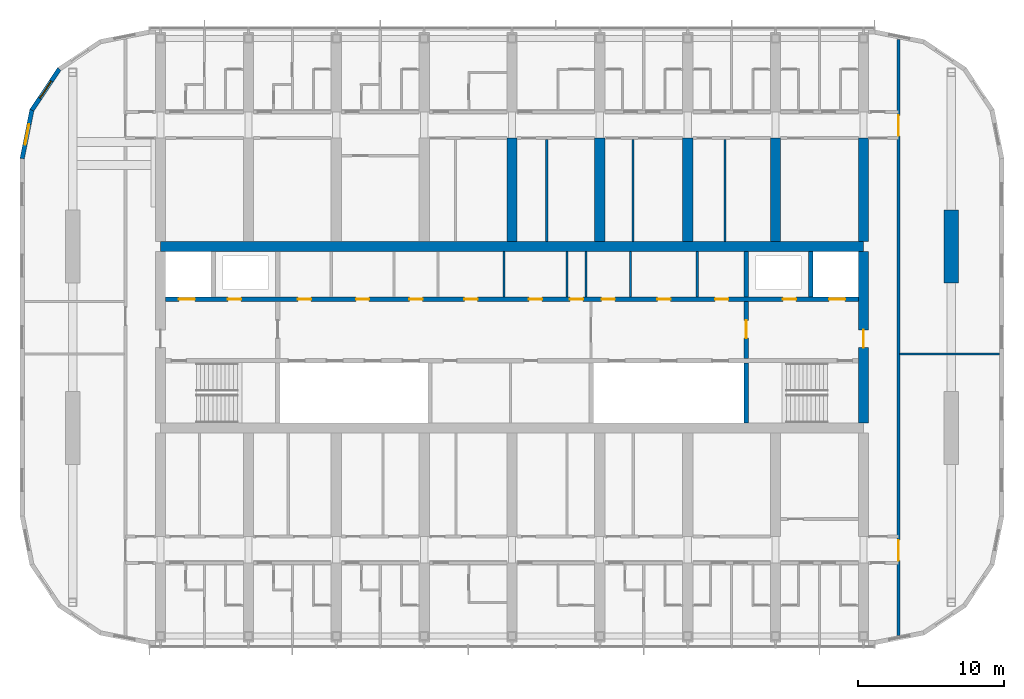
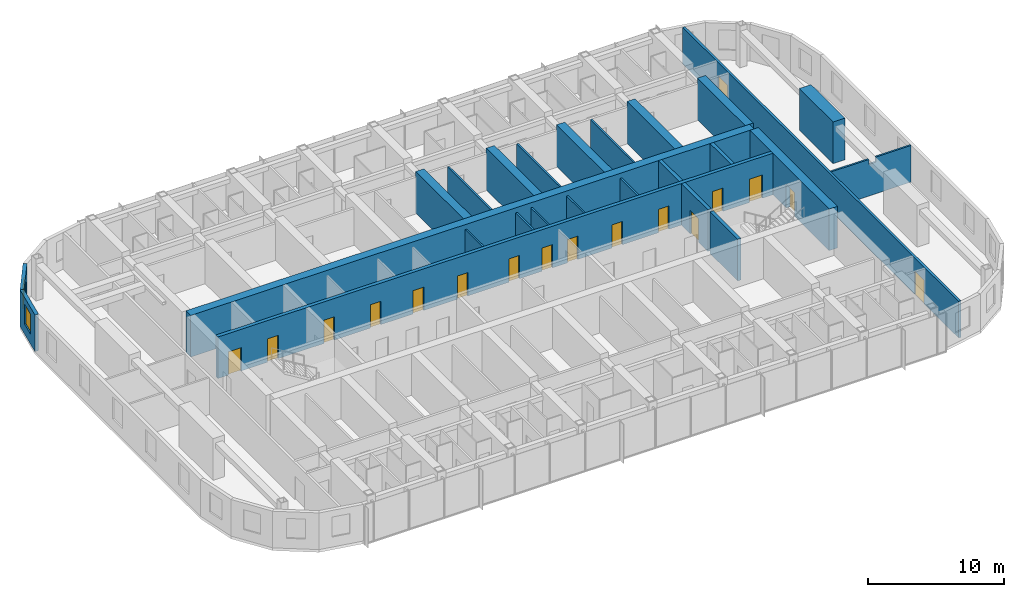
# One storey, part 15 of 24: 25 walls, 17 doors, 2 windows, 19 openings.
"""IFC4 building model written with IfcOpenShell, lengths in metres."""

import ifcopenshell
import ifcopenshell.guid

model = None  # the IFC model being written
_history = None  # IfcOwnerHistory: only IFC2X3 demands one
_inside = {}  # id of a spatial element -> (the spatial element, [elements in it])
_under = {}  # id of a project, library or spatial element -> (it, [spatial elements below it])
_declared = {}  # id of a project -> (the project, [libraries it declares])
_typed = {}  # id of a type object -> (the type object, [elements of that type])
_made_of = {}  # id of a material, layer set ... -> (it, [elements and type objects made of it])


def new_model(schema):
    """Start an empty IFC model of exactly this schema.

    Asked for "IFC4X3", IfcOpenShell would pick the latest addendum, in which some entities
    have other attributes; the version numbers below select the first issue.
    IFC2X3 requires an IfcOwnerHistory on every rooted entity: one is made here for all.
    """
    global model, _history
    if schema == "IFC4X3":
        model = ifcopenshell.file(schema_version=(4, 3, 0, 0))
    else:
        model = ifcopenshell.file(schema=schema)
    _inside.clear()
    _under.clear()
    _declared.clear()
    _typed.clear()
    _made_of.clear()
    _history = None
    if model.schema == "IFC2X3":
        org = make("IfcOrganization", Name="unknown")
        user = make(
            "IfcPersonAndOrganization",
            ThePerson=make("IfcPerson", FamilyName="unknown"),
            TheOrganization=org,
        )
        app = make(
            "IfcApplication",
            ApplicationDeveloper=org,
            Version="unknown",
            ApplicationFullName="unknown",
            ApplicationIdentifier="unknown",
        )
        _history = make(
            "IfcOwnerHistory",
            OwningUser=user,
            OwningApplication=app,
            ChangeAction="ADDED",
            CreationDate=0,
        )
    return model


def make(cls, **values):
    """One entity of the class cls with the attributes given. An attribute that is None is left unset."""
    return model.create_entity(
        cls, **{name: value for name, value in values.items() if value is not None}
    )


def rooted(cls, **values):
    """An entity with a GlobalId (a new one), such as an element, a storey or a relation."""
    return make(cls, GlobalId=ifcopenshell.guid.new(), OwnerHistory=_history, **values)


def si_unit(unit_type, name, prefix=None):
    """IfcSIUnit, for example si_unit("LENGTHUNIT", "METRE", prefix="MILLI")."""
    return make("IfcSIUnit", UnitType=unit_type, Prefix=prefix, Name=name)


def assignment(units):
    """IfcUnitAssignment: the units of a project."""
    return None if units is None else make("IfcUnitAssignment", Units=units)


def point(xyz):
    """IfcCartesianPoint."""
    return None if xyz is None else make("IfcCartesianPoint", Coordinates=xyz)


def direction(xyz):
    """IfcDirection."""
    return None if xyz is None else make("IfcDirection", DirectionRatios=xyz)


def frame(location, z_axis=None, x_axis=None):
    """IfcAxis2Placement3D, a coordinate frame: its origin and axes. An axis left out is left unset."""
    return make(
        "IfcAxis2Placement3D",
        Location=point(location),
        Axis=direction(z_axis),
        RefDirection=direction(x_axis),
    )


def frame_2d(location, x_axis=None):
    """IfcAxis2Placement2D, a coordinate frame in the plane: its origin and x axis."""
    return make(
        "IfcAxis2Placement2D", Location=point(location), RefDirection=direction(x_axis)
    )


def origin():
    """The frame at (0, 0, 0) with its axes left unset."""
    return frame((0.0, 0.0, 0.0))


def place(relative_to, where):
    """IfcLocalPlacement: puts the frame where relative to a parent placement (None: the world)."""
    return make(
        "IfcLocalPlacement", PlacementRelTo=relative_to, RelativePlacement=where
    )


def context(
    kind, dimensions, precision=None, world=None, true_north=None, identifier=None
):
    """IfcGeometricRepresentationContext, for example the 3D "Model" context."""
    return make(
        "IfcGeometricRepresentationContext",
        ContextIdentifier=identifier,
        ContextType=kind,
        CoordinateSpaceDimension=dimensions,
        Precision=precision,
        WorldCoordinateSystem=world,
        TrueNorth=true_north,
    )


def subcontext(parent, identifier, kind, view, scale=None):
    """IfcGeometricRepresentationSubContext, for example "Body" below "Model"."""
    return make(
        "IfcGeometricRepresentationSubContext",
        ContextIdentifier=identifier,
        ContextType=kind,
        ParentContext=parent,
        TargetScale=scale,
        TargetView=view,
    )


def project(units=None, contexts=None):
    """IfcProject with its units and contexts."""
    return rooted(
        "IfcProject",
        Name="project",
        RepresentationContexts=contexts,
        UnitsInContext=assignment(units),
    )


def spatial(cls, under=None, at=None, **own):
    """A site, building, storey or space (cls), placed at a placement, below another one or the project."""
    s = rooted(cls, ObjectPlacement=at, **own)
    if under is not None:
        _under.setdefault(under.id(), (under, []))[1].append(s)
    return s


def polyline(points):
    """IfcPolyline through the points."""
    return make("IfcPolyline", Points=[point(p) for p in points])


def profile(cls, at=None, kind="AREA", **sizes):
    """A parametric profile (cls). Its sizes go by their IFC names, for example OverallWidth=200.0."""
    return make(cls, ProfileType=kind, Position=at, **sizes)


def rectangle(**sizes):
    """IfcRectangleProfileDef."""
    return profile("IfcRectangleProfileDef", **sizes)


def outline(outer, holes=None, kind="AREA"):
    """IfcArbitraryClosedProfileDef: a profile drawn as a closed curve; with holes, ...WithVoids."""
    if holes is None:
        return make("IfcArbitraryClosedProfileDef", ProfileType=kind, OuterCurve=outer)
    return make(
        "IfcArbitraryProfileDefWithVoids",
        ProfileType=kind,
        OuterCurve=outer,
        InnerCurves=holes,
    )


def extrude(swept, where, along, depth):
    """IfcExtrudedAreaSolid: the profile swept, set in the frame where, extruded along a direction by depth."""
    return make(
        "IfcExtrudedAreaSolid",
        SweptArea=swept,
        Position=where,
        ExtrudedDirection=direction(along),
        Depth=depth,
    )


def shape(context_of_items, identifier, shape_type, items):
    """IfcShapeRepresentation: the items that make up one representation, for example the "Body"."""
    return make(
        "IfcShapeRepresentation",
        ContextOfItems=context_of_items,
        RepresentationIdentifier=identifier,
        RepresentationType=shape_type,
        Items=items,
    )


def material(Name=None, Category=None):
    """IfcMaterial."""
    return make("IfcMaterial", Name=Name, Category=Category)


def layer(
    of_material, thickness, ventilated=None, Name=None, Category=None, Priority=None
):
    """IfcMaterialLayer: one layer of a wall or slab, of a material (None: an air gap)."""
    return make(
        "IfcMaterialLayer",
        Material=of_material,
        LayerThickness=thickness,
        IsVentilated=ventilated,
        Name=Name,
        Category=Category,
        Priority=Priority,
    )


def layer_set(layers, Name=None):
    """IfcMaterialLayerSet."""
    return make("IfcMaterialLayerSet", MaterialLayers=layers, LayerSetName=Name)


def made_of(thing, what):
    """Note that an element or type object is made of a material, layer set ...; save() writes the relation."""
    if what is not None:
        _made_of.setdefault(what.id(), (what, []))[1].append(thing)
    return thing


def type_object(cls, material=None, **own):
    """A type object (cls), such as IfcWallType, which elements share."""
    return made_of(rooted(cls, **own), material)


def element(
    cls,
    number,
    at=None,
    inside=None,
    cuts=None,
    type_object=None,
    material=None,
    context=None,
    identifier="Body",
    shape_type=None,
    held_by="IfcProductDefinitionShape",
    body=None,
    shapes=None,
    **own,
):
    """One element of the class cls, such as IfcWall. Its Tag is "e" and its number.

    at: its placement. inside: the storey or other place that contains it. cuts: it is an
    opening in that element (IfcRelVoidsElement). A single representation is given by context,
    identifier, shape_type and body (its items); several are given by shapes. held_by: the class
    of the entity that holds the representations. save() writes the other relations.
    """
    e = rooted(cls, Tag="e%d" % number, ObjectPlacement=at, **own)
    if body is not None:
        shapes = [shape(context, identifier, shape_type, body)]
    if shapes is not None:
        e.Representation = make(held_by, Representations=shapes)
    if inside is not None:
        _inside.setdefault(inside.id(), (inside, []))[1].append(e)
    if cuts is not None:
        rooted(
            "IfcRelVoidsElement", RelatingBuildingElement=cuts, RelatedOpeningElement=e
        )
    if type_object is not None:
        _typed.setdefault(type_object.id(), (type_object, []))[1].append(e)
    return made_of(e, material)


def fill(opening, filler):
    """IfcRelFillsElement: the door or window that sits in an opening."""
    return rooted(
        "IfcRelFillsElement",
        RelatingOpeningElement=opening,
        RelatedBuildingElement=filler,
    )


def aggregate(whole, parts):
    """IfcRelAggregates: a whole, such as a stair, and the parts it consists of."""
    return rooted("IfcRelAggregates", RelatingObject=whole, RelatedObjects=parts)


def save(model, path):
    """Write the relations noted so far, then the file.

    IfcRelAggregates (storeys below a building ...), IfcRelContainedInSpatialStructure (elements
    in a storey), IfcRelDefinesByType, IfcRelAssociatesMaterial and IfcRelDeclares: one each for
    every whole, place, type object, material and project.
    """
    for whole, parts in _under.values():
        aggregate(whole, parts)
    for where, things in _inside.values():
        rooted(
            "IfcRelContainedInSpatialStructure",
            RelatedElements=things,
            RelatingStructure=where,
        )
    for kind, things in _typed.values():
        rooted("IfcRelDefinesByType", RelatedObjects=things, RelatingType=kind)
    for what, things in _made_of.values():
        rooted("IfcRelAssociatesMaterial", RelatedObjects=things, RelatingMaterial=what)
    for by, libraries in _declared.values():
        rooted("IfcRelDeclares", RelatingContext=by, RelatedDefinitions=libraries)
    model.write(path)


model = new_model("IFC4")

# Units and contexts
model_context = context("Model", 3, precision=1e-05, world=origin(), true_north=direction((0.0, 1.0)))
body_context = subcontext(model_context, "Body", "Model", "MODEL_VIEW")
ifc_project = project(units=[si_unit("LENGTHUNIT", "METRE"), si_unit("AREAUNIT", "SQUARE_METRE"), si_unit("VOLUMEUNIT", "CUBIC_METRE"), si_unit("PLANEANGLEUNIT", "RADIAN"), si_unit("MASSUNIT", "GRAM", prefix="KILO")], contexts=[model_context])

# Site, building, storey
site_placement = place(None, origin())
site = spatial("IfcSite", under=ifc_project, at=site_placement, CompositionType="ELEMENT")
building_placement = place(site_placement, origin())
building = spatial("IfcBuilding", under=site, at=building_placement, Name="Orbita Commons", CompositionType="ELEMENT")
storey_placement = place(building_placement, frame((0.0, 0.0, 242.800048828125)))
storey = spatial("IfcBuildingStorey", under=building, at=storey_placement, Name="L60", CompositionType="ELEMENT", Elevation=242.800048828125)

# Wall, openings, doors
ifc_material_1 = material(Name="Concrete C50/60", Category="concrete")
ifc_layer_1 = layer(ifc_material_1, 0.300048828125)
ifc_layer_set_1 = layer_set([ifc_layer_1], Name="Concrete C50/60")
wall_type_1 = type_object("IfcWallType", Name="Core inner wall 300 C50/60", PredefinedType="SHEAR", material=ifc_layer_set_1)
wall_1_placement = place(storey_placement, frame((18.35009765625, 34.60009765625, 0.0), z_axis=(0.0, 0.0, 1.0), x_axis=(1.0, 0.0, 0.0)))
wall_1 = element("IfcWall", 1, at=wall_1_placement, inside=storey, type_object=wall_type_1, Name="Lobby wall north L60", PredefinedType="SHEAR", context=body_context, shape_type="SweptSolid", body=[
    extrude(rectangle(XDim=47.2998046875, YDim=0.300048828125, at=frame_2d((23.64990234375, 0.0))), origin(), (0.0, 0.0, 1.0), 3.75),
])
opening_1_placement = place(wall_1_placement, frame((0.89990234375, 0.0, 0.0)))
opening_1 = element("IfcOpeningElement", 2, at=opening_1_placement, cuts=wall_1, Name="Opening LD01", PredefinedType="OPENING", context=body_context, shape_type="SweptSolid", body=[
    extrude(rectangle(XDim=1.10009765625, YDim=2.10009765625, at=frame_2d((0.550048828125, 1.050048828125))), frame((0.0, 0.159912109375, 0.0), z_axis=(0.0, -1.0, 0.0), x_axis=(1.0, 0.0, 0.0)), (0.0, 0.0, 1.0), 0.320068359375),
])
opening_2_placement = place(wall_1_placement, frame((45.300048828125, 0.0, 0.0)))
opening_2 = element("IfcOpeningElement", 3, at=opening_2_placement, cuts=wall_1, Name="Opening LD01", PredefinedType="OPENING", context=body_context, shape_type="SweptSolid", body=[
    extrude(rectangle(XDim=1.10009765625, YDim=2.10009765625, at=frame_2d((0.550048828125, 1.050048828125))), frame((0.0, 0.159912109375, 0.0), z_axis=(0.0, -1.0, 0.0), x_axis=(1.0, 0.0, 0.0)), (0.0, 0.0, 1.0), 0.320068359375),
])
opening_3_placement = place(wall_1_placement, frame((4.25, 0.0, 0.0)))
opening_3 = element("IfcOpeningElement", 4, at=opening_3_placement, cuts=wall_1, Name="Opening D03", PredefinedType="OPENING", context=body_context, shape_type="SweptSolid", body=[
    extrude(rectangle(XDim=0.89990234375, YDim=2.10009765625, at=frame_2d((0.449951171875, 1.050048828125))), frame((0.0, 0.159912109375, 0.0), z_axis=(0.0, -1.0, 0.0), x_axis=(1.0, 0.0, 0.0)), (0.0, 0.0, 1.0), 0.320068359375),
])
opening_4_placement = place(wall_1_placement, frame((42.14990234375, 0.0, 0.0)))
opening_4 = element("IfcOpeningElement", 5, at=opening_4_placement, cuts=wall_1, Name="Opening D03", PredefinedType="OPENING", context=body_context, shape_type="SweptSolid", body=[
    extrude(rectangle(XDim=0.89990234375, YDim=2.10009765625, at=frame_2d((0.449951171875, 1.050048828125))), frame((0.0, 0.159912109375, 0.0), z_axis=(0.0, -1.0, 0.0), x_axis=(1.0, 0.0, 0.0)), (0.0, 0.0, 1.0), 0.320068359375),
])
opening_5_placement = place(wall_1_placement, frame((9.025390625, 0.0, 0.0)))
opening_5 = element("IfcOpeningElement", 6, at=opening_5_placement, cuts=wall_1, Name="Opening D03", PredefinedType="OPENING", context=body_context, shape_type="SweptSolid", body=[
    extrude(rectangle(XDim=0.89990234375, YDim=2.10009765625, at=frame_2d((0.449951171875, 1.050048828125))), frame((0.0, 0.159912109375, 0.0), z_axis=(0.0, -1.0, 0.0), x_axis=(1.0, 0.0, 0.0)), (0.0, 0.0, 1.0), 0.320068359375),
])
opening_6_placement = place(wall_1_placement, frame((12.998779296875, 0.0, 0.0)))
opening_6 = element("IfcOpeningElement", 7, at=opening_6_placement, cuts=wall_1, Name="Opening D03", PredefinedType="OPENING", context=body_context, shape_type="SweptSolid", body=[
    extrude(rectangle(XDim=0.89990234375, YDim=2.10009765625, at=frame_2d((0.449951171875, 1.050048828125))), frame((0.0, 0.159912109375, 0.0), z_axis=(0.0, -1.0, 0.0), x_axis=(1.0, 0.0, 0.0)), (0.0, 0.0, 1.0), 0.320068359375),
])
opening_7_placement = place(wall_1_placement, frame((16.646240234375, 0.0, 0.0)))
opening_7 = element("IfcOpeningElement", 8, at=opening_7_placement, cuts=wall_1, Name="Opening D03", PredefinedType="OPENING", context=body_context, shape_type="SweptSolid", body=[
    extrude(rectangle(XDim=0.89990234375, YDim=2.10009765625, at=frame_2d((0.449951171875, 1.050048828125))), frame((0.0, 0.159912109375, 0.0), z_axis=(0.0, -1.0, 0.0), x_axis=(1.0, 0.0, 0.0)), (0.0, 0.0, 1.0), 0.320068359375),
])
opening_8_placement = place(wall_1_placement, frame((20.40478515625, 0.0, 0.0)))
opening_8 = element("IfcOpeningElement", 9, at=opening_8_placement, cuts=wall_1, Name="Opening D05", PredefinedType="OPENING", context=body_context, shape_type="SweptSolid", body=[
    extrude(rectangle(XDim=0.89990234375, YDim=2.10009765625, at=frame_2d((0.449951171875, 1.050048828125))), frame((0.0, 0.159912109375, 0.0), z_axis=(0.0, -1.0, 0.0), x_axis=(1.0, 0.0, 0.0)), (0.0, 0.0, 1.0), 0.320068359375),
])
opening_9_placement = place(wall_1_placement, frame((24.810791015625, 0.0, 0.0)))
opening_9 = element("IfcOpeningElement", 10, at=opening_9_placement, cuts=wall_1, Name="Opening D03", PredefinedType="OPENING", context=body_context, shape_type="SweptSolid", body=[
    extrude(rectangle(XDim=0.89990234375, YDim=2.10009765625, at=frame_2d((0.449951171875, 1.050048828125))), frame((0.0, 0.159912109375, 0.0), z_axis=(0.0, -1.0, 0.0), x_axis=(1.0, 0.0, 0.0)), (0.0, 0.0, 1.0), 0.320068359375),
])
opening_10_placement = place(wall_1_placement, frame((27.6083984375, 0.0, 0.0)))
opening_10 = element("IfcOpeningElement", 11, at=opening_10_placement, cuts=wall_1, Name="Opening D03", PredefinedType="OPENING", context=body_context, shape_type="SweptSolid", body=[
    extrude(rectangle(XDim=0.89990234375, YDim=2.10009765625, at=frame_2d((0.449951171875, 1.050048828125))), frame((0.0, 0.159912109375, 0.0), z_axis=(0.0, -1.0, 0.0), x_axis=(1.0, 0.0, 0.0)), (0.0, 0.0, 1.0), 0.320068359375),
])
opening_11_placement = place(wall_1_placement, frame((29.778076171875, 0.0, 0.0)))
opening_11 = element("IfcOpeningElement", 12, at=opening_11_placement, cuts=wall_1, Name="Opening D05", PredefinedType="OPENING", context=body_context, shape_type="SweptSolid", body=[
    extrude(rectangle(XDim=0.89990234375, YDim=2.10009765625, at=frame_2d((0.449951171875, 1.050048828125))), frame((0.0, 0.159912109375, 0.0), z_axis=(0.0, -1.0, 0.0), x_axis=(1.0, 0.0, 0.0)), (0.0, 0.0, 1.0), 0.320068359375),
])
opening_12_placement = place(wall_1_placement, frame((33.5771484375, 0.0, 0.0)))
opening_12 = element("IfcOpeningElement", 13, at=opening_12_placement, cuts=wall_1, Name="Opening D05", PredefinedType="OPENING", context=body_context, shape_type="SweptSolid", body=[
    extrude(rectangle(XDim=0.89990234375, YDim=2.10009765625, at=frame_2d((0.449951171875, 1.050048828125))), frame((0.0, 0.159912109375, 0.0), z_axis=(0.0, -1.0, 0.0), x_axis=(1.0, 0.0, 0.0)), (0.0, 0.0, 1.0), 0.320068359375),
])
opening_13_placement = place(wall_1_placement, frame((37.5283203125, 0.0, 0.0)))
opening_13 = element("IfcOpeningElement", 14, at=opening_13_placement, cuts=wall_1, Name="Opening D03", PredefinedType="OPENING", context=body_context, shape_type="SweptSolid", body=[
    extrude(rectangle(XDim=0.89990234375, YDim=2.10009765625, at=frame_2d((0.449951171875, 1.050048828125))), frame((0.0, 0.159912109375, 0.0), z_axis=(0.0, -1.0, 0.0), x_axis=(1.0, 0.0, 0.0)), (0.0, 0.0, 1.0), 0.320068359375),
])
ifc_material_2 = material(Name="Steel-faced fire door leaf", Category="steel")
door_type_1 = type_object("IfcDoorType", Name="Firefighting lift landing door 1100x2100", OperationType="DOUBLE_DOOR_SLIDING", PredefinedType="DOOR", material=ifc_material_2)
door_1_placement = place(opening_1_placement, origin())
door_1 = element("IfcDoor", 15, at=door_1_placement, inside=storey, type_object=door_type_1, Name="Firefighting lift FL1 landing door", OperationType="DOUBLE_DOOR_SLIDING", OverallHeight=2.10009765625, OverallWidth=1.10009765625, PredefinedType="DOOR", context=body_context, shape_type="SweptSolid", body=[
    extrude(rectangle(XDim=1.10009765625, YDim=2.10009765625, at=frame_2d((0.550048828125, 1.050048828125))), frame((0.0, 0.02490234375, 0.0), z_axis=(0.0, -1.0, 0.0), x_axis=(1.0, 0.0, 0.0)), (0.0, 0.0, 1.0), 0.050048828125),
])
fill(opening_1, door_1)
door_2_placement = place(opening_2_placement, origin())
door_2 = element("IfcDoor", 16, at=door_2_placement, inside=storey, type_object=door_type_1, Name="Firefighting lift FL2 landing door", OperationType="DOUBLE_DOOR_SLIDING", OverallHeight=2.10009765625, OverallWidth=1.10009765625, PredefinedType="DOOR", context=body_context, shape_type="SweptSolid", body=[
    extrude(rectangle(XDim=1.10009765625, YDim=2.10009765625, at=frame_2d((0.550048828125, 1.050048828125))), frame((0.0, 0.02490234375, 0.0), z_axis=(0.0, -1.0, 0.0), x_axis=(1.0, 0.0, 0.0)), (0.0, 0.0, 1.0), 0.050048828125),
])
fill(opening_2, door_2)
ifc_material_3 = material(Name="Steel-faced fire door leaf", Category="steel")
door_type_2 = type_object("IfcDoorType", Name="Service door 20 min 900x2100", OperationType="SINGLE_SWING_LEFT", PredefinedType="DOOR", material=ifc_material_3)
door_3_placement = place(opening_8_placement, origin())
door_3 = element("IfcDoor", 17, at=door_3_placement, inside=storey, type_object=door_type_2, Name="Accessible WC door", OperationType="SINGLE_SWING_LEFT", OverallHeight=2.10009765625, OverallWidth=0.89990234375, PredefinedType="DOOR", context=body_context, shape_type="SweptSolid", body=[
    extrude(rectangle(XDim=0.89990234375, YDim=2.10009765625, at=frame_2d((0.449951171875, 1.050048828125))), frame((0.0, 0.02490234375, 0.0), z_axis=(0.0, -1.0, 0.0), x_axis=(1.0, 0.0, 0.0)), (0.0, 0.0, 1.0), 0.050048828125),
])
fill(opening_8, door_3)
door_4_placement = place(opening_11_placement, origin())
door_4 = element("IfcDoor", 18, at=door_4_placement, inside=storey, type_object=door_type_2, Name="Staff WC door", OperationType="SINGLE_SWING_LEFT", OverallHeight=2.10009765625, OverallWidth=0.89990234375, PredefinedType="DOOR", context=body_context, shape_type="SweptSolid", body=[
    extrude(rectangle(XDim=0.89990234375, YDim=2.10009765625, at=frame_2d((0.449951171875, 1.050048828125))), frame((0.0, 0.02490234375, 0.0), z_axis=(0.0, -1.0, 0.0), x_axis=(1.0, 0.0, 0.0)), (0.0, 0.0, 1.0), 0.050048828125),
])
fill(opening_11, door_4)
door_5_placement = place(opening_12_placement, origin())
door_5 = element("IfcDoor", 19, at=door_5_placement, inside=storey, type_object=door_type_2, Name="Vending and ice room door", OperationType="SINGLE_SWING_LEFT", OverallHeight=2.10009765625, OverallWidth=0.89990234375, PredefinedType="DOOR", context=body_context, shape_type="SweptSolid", body=[
    extrude(rectangle(XDim=0.89990234375, YDim=2.10009765625, at=frame_2d((0.449951171875, 1.050048828125))), frame((0.0, 0.02490234375, 0.0), z_axis=(0.0, -1.0, 0.0), x_axis=(1.0, 0.0, 0.0)), (0.0, 0.0, 1.0), 0.050048828125),
])
fill(opening_12, door_5)
ifc_material_4 = material(Name="Steel-faced fire door leaf", Category="steel")
door_type_3 = type_object("IfcDoorType", Name="Shaft access door 90 min 900x2100", OperationType="SINGLE_SWING_LEFT", PredefinedType="DOOR", material=ifc_material_4)
door_6_placement = place(opening_3_placement, origin())
door_6 = element("IfcDoor", 20, at=door_6_placement, inside=storey, type_object=door_type_3, Name="Riser door west", OperationType="SINGLE_SWING_LEFT", OverallHeight=2.10009765625, OverallWidth=0.89990234375, PredefinedType="DOOR", context=body_context, shape_type="SweptSolid", body=[
    extrude(rectangle(XDim=0.89990234375, YDim=2.10009765625, at=frame_2d((0.449951171875, 1.050048828125))), frame((0.0, 0.02490234375, 0.0), z_axis=(0.0, -1.0, 0.0), x_axis=(1.0, 0.0, 0.0)), (0.0, 0.0, 1.0), 0.050048828125),
])
fill(opening_3, door_6)
door_7_placement = place(opening_4_placement, origin())
door_7 = element("IfcDoor", 21, at=door_7_placement, inside=storey, type_object=door_type_3, Name="Riser door east", OperationType="SINGLE_SWING_LEFT", OverallHeight=2.10009765625, OverallWidth=0.89990234375, PredefinedType="DOOR", context=body_context, shape_type="SweptSolid", body=[
    extrude(rectangle(XDim=0.89990234375, YDim=2.10009765625, at=frame_2d((0.449951171875, 1.050048828125))), frame((0.0, 0.02490234375, 0.0), z_axis=(0.0, -1.0, 0.0), x_axis=(1.0, 0.0, 0.0)), (0.0, 0.0, 1.0), 0.050048828125),
])
fill(opening_4, door_7)
door_8_placement = place(opening_5_placement, origin())
door_8 = element("IfcDoor", 22, at=door_8_placement, inside=storey, type_object=door_type_3, Name="Cleaners store door", OperationType="SINGLE_SWING_LEFT", OverallHeight=2.10009765625, OverallWidth=0.89990234375, PredefinedType="DOOR", context=body_context, shape_type="SweptSolid", body=[
    extrude(rectangle(XDim=0.89990234375, YDim=2.10009765625, at=frame_2d((0.449951171875, 1.050048828125))), frame((0.0, 0.02490234375, 0.0), z_axis=(0.0, -1.0, 0.0), x_axis=(1.0, 0.0, 0.0)), (0.0, 0.0, 1.0), 0.050048828125),
])
fill(opening_5, door_8)
door_9_placement = place(opening_6_placement, origin())
door_9 = element("IfcDoor", 23, at=door_9_placement, inside=storey, type_object=door_type_3, Name="Refuse chute room door", OperationType="SINGLE_SWING_LEFT", OverallHeight=2.10009765625, OverallWidth=0.89990234375, PredefinedType="DOOR", context=body_context, shape_type="SweptSolid", body=[
    extrude(rectangle(XDim=0.89990234375, YDim=2.10009765625, at=frame_2d((0.449951171875, 1.050048828125))), frame((0.0, 0.02490234375, 0.0), z_axis=(0.0, -1.0, 0.0), x_axis=(1.0, 0.0, 0.0)), (0.0, 0.0, 1.0), 0.050048828125),
])
fill(opening_6, door_9)
door_10_placement = place(opening_7_placement, origin())
door_10 = element("IfcDoor", 24, at=door_10_placement, inside=storey, type_object=door_type_3, Name="Electrical riser room door", OperationType="SINGLE_SWING_LEFT", OverallHeight=2.10009765625, OverallWidth=0.89990234375, PredefinedType="DOOR", context=body_context, shape_type="SweptSolid", body=[
    extrude(rectangle(XDim=0.89990234375, YDim=2.10009765625, at=frame_2d((0.449951171875, 1.050048828125))), frame((0.0, 0.02490234375, 0.0), z_axis=(0.0, -1.0, 0.0), x_axis=(1.0, 0.0, 0.0)), (0.0, 0.0, 1.0), 0.050048828125),
])
fill(opening_7, door_10)
door_11_placement = place(opening_9_placement, origin())
door_11 = element("IfcDoor", 25, at=door_11_placement, inside=storey, type_object=door_type_3, Name="Communications room door", OperationType="SINGLE_SWING_LEFT", OverallHeight=2.10009765625, OverallWidth=0.89990234375, PredefinedType="DOOR", context=body_context, shape_type="SweptSolid", body=[
    extrude(rectangle(XDim=0.89990234375, YDim=2.10009765625, at=frame_2d((0.449951171875, 1.050048828125))), frame((0.0, 0.02490234375, 0.0), z_axis=(0.0, -1.0, 0.0), x_axis=(1.0, 0.0, 0.0)), (0.0, 0.0, 1.0), 0.050048828125),
])
fill(opening_9, door_11)
door_12_placement = place(opening_10_placement, origin())
door_12 = element("IfcDoor", 26, at=door_12_placement, inside=storey, type_object=door_type_3, Name="Stair pressurisation duct door", OperationType="SINGLE_SWING_LEFT", OverallHeight=2.10009765625, OverallWidth=0.89990234375, PredefinedType="DOOR", context=body_context, shape_type="SweptSolid", body=[
    extrude(rectangle(XDim=0.89990234375, YDim=2.10009765625, at=frame_2d((0.449951171875, 1.050048828125))), frame((0.0, 0.02490234375, 0.0), z_axis=(0.0, -1.0, 0.0), x_axis=(1.0, 0.0, 0.0)), (0.0, 0.0, 1.0), 0.050048828125),
])
fill(opening_10, door_12)
door_13_placement = place(opening_13_placement, origin())
door_13 = element("IfcDoor", 27, at=door_13_placement, inside=storey, type_object=door_type_3, Name="Housekeeping store door", OperationType="SINGLE_SWING_LEFT", OverallHeight=2.10009765625, OverallWidth=0.89990234375, PredefinedType="DOOR", context=body_context, shape_type="SweptSolid", body=[
    extrude(rectangle(XDim=0.89990234375, YDim=2.10009765625, at=frame_2d((0.449951171875, 1.050048828125))), frame((0.0, 0.02490234375, 0.0), z_axis=(0.0, -1.0, 0.0), x_axis=(1.0, 0.0, 0.0)), (0.0, 0.0, 1.0), 0.050048828125),
])
fill(opening_13, door_13)

# Wall
wall_2_placement = place(storey_placement, frame((58.0, 26.14990234375, 0.0), z_axis=(0.0, 0.0, 1.0), x_axis=(0.0, 1.0, 0.0)))
element("IfcWall", 28, at=wall_2_placement, inside=storey, type_object=wall_type_1, Name="Stair S2 wall L60", PredefinedType="SHEAR", context=body_context, shape_type="SweptSolid", body=[
    extrude(rectangle(XDim=4.10009765625, YDim=0.300048828125, at=frame_2d((2.050048828125, 0.0))), origin(), (0.0, 0.0, 1.0), 3.75),
])

# Wall, opening, door
wall_3_placement = place(storey_placement, frame((58.0, 30.550048828125, 0.0), z_axis=(0.0, 0.0, 1.0), x_axis=(0.0, 1.0, 0.0)))
wall_3 = element("IfcWall", 29, at=wall_3_placement, inside=storey, type_object=wall_type_1, Name="Firefighting lobby wall east L60", PredefinedType="SHEAR", context=body_context, shape_type="SweptSolid", body=[
    extrude(rectangle(XDim=3.89990234375, YDim=0.300048828125, at=frame_2d((1.949951171875, 0.0))), origin(), (0.0, 0.0, 1.0), 3.75),
])
opening_14_placement = place(wall_3_placement, frame((1.39990234375, 0.0, 0.0)))
opening_14 = element("IfcOpeningElement", 30, at=opening_14_placement, cuts=wall_3, Name="Opening D04", PredefinedType="OPENING", context=body_context, shape_type="SweptSolid", body=[
    extrude(rectangle(XDim=1.199951171875, YDim=2.10009765625, at=frame_2d((0.60009765625, 1.050048828125))), frame((0.0, 0.159912109375, 0.0), z_axis=(0.0, -1.0, 0.0), x_axis=(1.0, 0.0, 0.0)), (0.0, 0.0, 1.0), 0.320068359375),
])
ifc_material_5 = material(Name="Steel-faced fire door leaf", Category="steel")
door_type_4 = type_object("IfcDoorType", Name="Service door 20 min 1200x2100", OperationType="SINGLE_SWING_LEFT", PredefinedType="DOOR", material=ifc_material_5)
door_14_placement = place(opening_14_placement, origin())
door_14 = element("IfcDoor", 31, at=door_14_placement, inside=storey, type_object=door_type_4, Name="Lift lobby door east", OperationType="SINGLE_SWING_LEFT", OverallHeight=2.10009765625, OverallWidth=1.199951171875, PredefinedType="DOOR", context=body_context, shape_type="SweptSolid", body=[
    extrude(rectangle(XDim=1.199951171875, YDim=2.10009765625, at=frame_2d((0.60009765625, 1.050048828125))), frame((0.0, 0.02490234375, 0.0), z_axis=(0.0, -1.0, 0.0), x_axis=(1.0, 0.0, 0.0)), (0.0, 0.0, 1.0), 0.050048828125),
])
fill(opening_14, door_14)

# Walls
for number, where, z_axis, x_axis, name in (
    (32, (62.39990234375, 34.75, 0.0), (0.0, 0.0, 1.0), (0.0, 1.0, 0.0), "Firefighting lift FL2 shaft wall L60"),
    (33, (58.0, 34.75, 0.0), (0.0, 0.0, 1.0), (0.0, 1.0, 0.0), "Riser wall east L60"),
):
    element("IfcWall", number, at=place(storey_placement, frame(where, z_axis=z_axis, x_axis=x_axis)), inside=storey, type_object=wall_type_1, Name=name, PredefinedType="SHEAR", context=body_context, shape_type="SweptSolid", body=[
        extrude(rectangle(XDim=3.10009765625, YDim=0.300048828125, at=frame_2d((1.550048828125, 0.0))), origin(), (0.0, 0.0, 1.0), 3.75),
    ])
ifc_material_6 = material(Name="Concrete blockwork", Category="masonry")
ifc_layer_2 = layer(ifc_material_6, 0.14990234375)
ifc_layer_set_2 = layer_set([ifc_layer_2], Name="Concrete blockwork")
wall_type_2 = type_object("IfcWallType", Name="Core partition 150 blockwork", PredefinedType="SOLIDWALL", material=ifc_layer_set_2)
for number, where, z_axis, x_axis, name in (
    (34, (41.463134765625, 34.75, 0.0), (0.0, 0.0, 1.0), (0.0, 1.0, 0.0), "Core partition 150 blockwork L60"),
    (35, (45.75830078125, 34.75, 0.0), (0.0, 0.0, 1.0), (0.0, 1.0, 0.0), "Core partition 150 blockwork L60"),
    (36, (47.058349609375, 34.75, 0.0), (0.0, 0.0, 1.0), (0.0, 1.0, 0.0), "Core partition 150 blockwork L60"),
    (37, (50.09765625, 34.75, 0.0), (0.0, 0.0, 1.0), (0.0, 1.0, 0.0), "Core partition 150 blockwork L60"),
    (38, (54.65673828125, 34.75, 0.0), (0.0, 0.0, 1.0), (0.0, 1.0, 0.0), "Core partition 150 blockwork L60"),
):
    element("IfcWall", number, at=place(storey_placement, frame(where, z_axis=z_axis, x_axis=x_axis)), inside=storey, type_object=wall_type_2, Name=name, PredefinedType="SOLIDWALL", context=body_context, shape_type="SweptSolid", body=[
        extrude(rectangle(XDim=3.10009765625, YDim=0.14990234375, at=frame_2d((1.550048828125, 0.0))), origin(), (0.0, 0.0, 1.0), 3.300048828125),
    ])
ifc_material_7 = material(Name="Concrete C50/60", Category="concrete")
ifc_layer_3 = layer(ifc_material_7, 0.699951171875)
ifc_layer_set_3 = layer_set([ifc_layer_3], Name="Concrete C50/60")
wall_type_3 = type_object("IfcWallType", Name="Core wall 700 C50/60", PredefinedType="SHEAR", material=ifc_layer_set_3)
wall_4_placement = place(storey_placement, frame((18.0, 38.199951171875, 0.0), z_axis=(0.0, 0.0, 1.0), x_axis=(1.0, 0.0, 0.0)))
element("IfcWall", 39, at=wall_4_placement, inside=storey, type_object=wall_type_3, Name="Core spine wall north L60", PredefinedType="SHEAR", context=body_context, shape_type="SweptSolid", body=[
    extrude(rectangle(XDim=48.0, YDim=0.699951171875, at=frame_2d((24.0, 0.0))), origin(), (0.0, 0.0, 1.0), 3.75),
])

# Wall, opening, door
wall_5_placement = place(storey_placement, frame((66.0, 26.14990234375, 0.0), z_axis=(0.0, 0.0, 1.0), x_axis=(0.0, 1.0, 0.0)))
wall_5 = element("IfcWall", 40, at=wall_5_placement, inside=storey, type_object=wall_type_3, Name="Core end wall east L60", PredefinedType="SHEAR", context=body_context, shape_type="SweptSolid", body=[
    extrude(rectangle(XDim=11.7001953125, YDim=0.699951171875, at=frame_2d((5.85009765625, 0.0))), origin(), (0.0, 0.0, 1.0), 3.75),
])
opening_15_placement = place(wall_5_placement, frame((5.14990234375, 0.0, 0.0)))
opening_15 = element("IfcOpeningElement", 41, at=opening_15_placement, cuts=wall_5, Name="Opening D01", PredefinedType="OPENING", context=body_context, shape_type="SweptSolid", body=[
    extrude(rectangle(XDim=1.199951171875, YDim=2.10009765625, at=frame_2d((0.60009765625, 1.050048828125))), frame((0.0, 0.35986328125, 0.0), z_axis=(0.0, -1.0, 0.0), x_axis=(1.0, 0.0, 0.0)), (0.0, 0.0, 1.0), 0.719970703125),
])
ifc_material_8 = material(Name="Steel-faced fire door leaf", Category="steel")
door_type_5 = type_object("IfcDoorType", Name="Fire door 90 min 1200x2100", OperationType="SINGLE_SWING_LEFT", PredefinedType="DOOR", material=ifc_material_8)
door_15_placement = place(opening_15_placement, origin())
door_15 = element("IfcDoor", 42, at=door_15_placement, inside=storey, type_object=door_type_5, Name="Firefighting lobby east door", OperationType="SINGLE_SWING_LEFT", OverallHeight=2.10009765625, OverallWidth=1.199951171875, PredefinedType="DOOR", context=body_context, shape_type="SweptSolid", body=[
    extrude(rectangle(XDim=1.199951171875, YDim=2.10009765625, at=frame_2d((0.60009765625, 1.050048828125))), frame((0.0, 0.02490234375, 0.0), z_axis=(0.0, -1.0, 0.0), x_axis=(1.0, 0.0, 0.0)), (0.0, 0.0, 1.0), 0.050048828125),
])
fill(opening_15, door_15)

# Wall, openings, doors
ifc_material_9 = material(Name="Concrete blockwork", Category="masonry")
ifc_layer_4 = layer(ifc_material_9, 0.199951171875)
ifc_layer_set_4 = layer_set([ifc_layer_4], Name="Concrete blockwork")
wall_type_4 = type_object("IfcWallType", Name="Corridor wall 200 blockwork", PredefinedType="SOLIDWALL", material=ifc_layer_set_4)
wall_6_placement = place(storey_placement, frame((68.39990234375, 11.646240234375, 0.0), z_axis=(0.0, 0.0, 1.0), x_axis=(0.0, 1.0, 0.0)))
wall_6 = element("IfcWall", 43, at=wall_6_placement, inside=storey, type_object=wall_type_4, Name="Corridor wall 200 blockwork L60", PredefinedType="SOLIDWALL", context=body_context, shape_type="SweptSolid", body=[
    extrude(rectangle(XDim=40.70751953125, YDim=0.199951171875, at=frame_2d((20.353759765625, 0.0))), origin(), (0.0, 0.0, 1.0), 3.300048828125),
])
opening_16_placement = place(wall_6_placement, frame((5.103759765625, 0.0, 0.0)))
opening_16 = element("IfcOpeningElement", 44, at=opening_16_placement, cuts=wall_6, Name="Opening D08", PredefinedType="OPENING", context=body_context, shape_type="SweptSolid", body=[
    extrude(rectangle(XDim=1.39990234375, YDim=2.10009765625, at=frame_2d((0.699951171875, 1.050048828125))), frame((0.0, 0.10986328125, 0.0), z_axis=(0.0, -1.0, 0.0), x_axis=(1.0, 0.0, 0.0)), (0.0, 0.0, 1.0), 0.219970703125),
])
opening_17_placement = place(wall_6_placement, frame((34.103759765625, 0.0, 0.0)))
opening_17 = element("IfcOpeningElement", 45, at=opening_17_placement, cuts=wall_6, Name="Opening D08", PredefinedType="OPENING", context=body_context, shape_type="SweptSolid", body=[
    extrude(rectangle(XDim=1.39990234375, YDim=2.10009765625, at=frame_2d((0.699951171875, 1.050048828125))), frame((0.0, 0.10986328125, 0.0), z_axis=(0.0, -1.0, 0.0), x_axis=(1.0, 0.0, 0.0)), (0.0, 0.0, 1.0), 0.219970703125),
])
ifc_material_10 = material(Name="Steel-faced fire door leaf", Category="steel")
door_type_6 = type_object("IfcDoorType", Name="Double corridor door 20 min 1400x2100", OperationType="DOUBLE_DOOR_SINGLE_SWING", PredefinedType="DOOR", material=ifc_material_10)
door_16_placement = place(opening_16_placement, origin())
door_16 = element("IfcDoor", 46, at=door_16_placement, inside=storey, type_object=door_type_6, Name="Lounge doors", OperationType="DOUBLE_DOOR_SINGLE_SWING", OverallHeight=2.10009765625, OverallWidth=1.39990234375, PredefinedType="DOOR", context=body_context, shape_type="SweptSolid", body=[
    extrude(rectangle(XDim=1.39990234375, YDim=2.10009765625, at=frame_2d((0.699951171875, 1.050048828125))), frame((0.0, 0.02490234375, 0.0), z_axis=(0.0, -1.0, 0.0), x_axis=(1.0, 0.0, 0.0)), (0.0, 0.0, 1.0), 0.050048828125),
])
fill(opening_16, door_16)
door_17_placement = place(opening_17_placement, origin())
door_17 = element("IfcDoor", 47, at=door_17_placement, inside=storey, type_object=door_type_6, Name="Lounge doors", OperationType="DOUBLE_DOOR_SINGLE_SWING", OverallHeight=2.10009765625, OverallWidth=1.39990234375, PredefinedType="DOOR", context=body_context, shape_type="SweptSolid", body=[
    extrude(rectangle(XDim=1.39990234375, YDim=2.10009765625, at=frame_2d((0.699951171875, 1.050048828125))), frame((0.0, 0.02490234375, 0.0), z_axis=(0.0, -1.0, 0.0), x_axis=(1.0, 0.0, 0.0)), (0.0, 0.0, 1.0), 0.050048828125),
])
fill(opening_17, door_17)

# Walls
ifc_material_11 = material(Name="Concrete C50/60", Category="concrete")
ifc_layer_5 = layer(ifc_material_11, 0.699951171875)
ifc_layer_set_5 = layer_set([ifc_layer_5], Name="Concrete C50/60")
wall_type_5 = type_object("IfcWallType", Name="Cross wall 700 C50/60", PredefinedType="SHEAR", material=ifc_layer_set_5)
for number, where, z_axis, x_axis, name in (
    (48, (42.0, 38.550048828125, 0.0), (0.0, 0.0, 1.0), (0.0, 1.0, 0.0), "Cross wall 8 north inner L60"),
    (49, (48.0, 38.550048828125, 0.0), (0.0, 0.0, 1.0), (0.0, 1.0, 0.0), "Cross wall 9 north inner L60"),
    (50, (54.0, 38.550048828125, 0.0), (0.0, 0.0, 1.0), (0.0, 1.0, 0.0), "Cross wall 10 north inner L60"),
    (51, (60.0, 38.550048828125, 0.0), (0.0, 0.0, 1.0), (0.0, 1.0, 0.0), "Cross wall 11 north inner L60"),
    (52, (66.0, 38.550048828125, 0.0), (0.0, 0.0, 1.0), (0.0, 1.0, 0.0), "Cross wall 12 north inner L60"),
):
    element("IfcWall", number, at=place(storey_placement, frame(where, z_axis=z_axis, x_axis=x_axis)), inside=storey, type_object=wall_type_5, Name=name, PredefinedType="SHEAR", context=body_context, shape_type="SweptSolid", body=[
        extrude(rectangle(XDim=7.050048828125, YDim=0.699951171875, at=frame_2d((3.52490234375, 0.0))), origin(), (0.0, 0.0, 1.0), 3.75),
    ])
ifc_material_12 = material(Name="Concrete C50/60", Category="concrete")
ifc_layer_6 = layer(ifc_material_12, 1.0)
ifc_layer_set_6 = layer_set([ifc_layer_6], Name="Concrete C50/60")
wall_type_6 = type_object("IfcWallType", Name="End pier 1000x5000 C50/60", PredefinedType="SHEAR", material=ifc_layer_set_6)
wall_7_placement = place(storey_placement, frame((72.0, 35.699951171875, 0.0), z_axis=(0.0, 0.0, 1.0), x_axis=(0.0, 1.0, 0.0)))
element("IfcWall", 53, at=wall_7_placement, inside=storey, type_object=wall_type_6, Name="End pier 13/D L60", PredefinedType="SHEAR", context=body_context, shape_type="SweptSolid", body=[
    extrude(rectangle(XDim=5.0, YDim=1.0, at=frame_2d((2.5, 0.0))), origin(), (0.0, 0.0, 1.0), 3.75),
])
ifc_material_13 = material(Name="Gypsum plasterboard on steel studs", Category="steel")
ifc_layer_7 = layer(ifc_material_13, 0.14990234375)
ifc_layer_set_7 = layer_set([ifc_layer_7], Name="Gypsum plasterboard on steel studs")
wall_type_7 = type_object("IfcWallType", Name="Partition 150 plasterboard", PredefinedType="PARTITIONING", material=ifc_layer_set_7)
for number, where, z_axis, x_axis, name in (
    (54, (44.3701171875, 38.550048828125, 0.0), (0.0, 0.0, 1.0), (0.0, 1.0, 0.0), "Partition 150 plasterboard L60"),
    (55, (50.264892578125, 38.550048828125, 0.0), (0.0, 0.0, 1.0), (0.0, 1.0, 0.0), "Partition 150 plasterboard L60"),
    (56, (56.5400390625, 38.550048828125, 0.0), (0.0, 0.0, 1.0), (0.0, 1.0, 0.0), "Partition 150 plasterboard L60"),
):
    element("IfcWall", number, at=place(storey_placement, frame(where, z_axis=z_axis, x_axis=x_axis)), inside=storey, type_object=wall_type_7, Name=name, PredefinedType="PARTITIONING", context=body_context, shape_type="SweptSolid", body=[
        extrude(rectangle(XDim=6.949951171875, YDim=0.14990234375, at=frame_2d((3.47509765625, 0.0))), origin(), (0.0, 0.0, 1.0), 3.300048828125),
    ])
wall_8_placement = place(storey_placement, frame((68.47509765625, 30.85009765625, 0.0), z_axis=(0.0, 0.0, 1.0), x_axis=(1.0, 0.0, 0.0)))
element("IfcWall", 57, at=wall_8_placement, inside=storey, type_object=wall_type_7, Name="Partition 150 plasterboard L60", PredefinedType="PARTITIONING", context=body_context, shape_type="SweptSolid", body=[
    extrude(outline(polyline([(0.0, 0.0), (6.81982421875, 0.0), (6.820068359375, 3.300048828125), (3.826904296875, 3.300048828125), (3.824951171875, 2.849853515625), (3.22705078125, 2.849853515625), (3.22509765625, 3.300048828125), (0.0, 3.300048828125), (0.0, 0.0)])), frame((0.0, 0.074951171875, 0.0), z_axis=(0.0, -1.0, 0.0), x_axis=(1.0, 0.0, 0.0)), (0.0, 0.0, 1.0), 0.14990234375),
])

# Wall, opening, window
ifc_material_14 = material(Name="Precast concrete C40/50, white board-marked finish", Category="concrete")
ifc_layer_8 = layer(ifc_material_14, 0.300048828125)
ifc_layer_set_8 = layer_set([ifc_layer_8], Name="Precast concrete C40/50, white board-marked finish")
wall_type_8 = type_object("IfcWallType", Name="Precast concrete end shield 300", PredefinedType="SOLIDWALL", material=ifc_layer_set_8)
wall_9_placement = place(storey_placement, frame((11.08349609375, 50.31640625, 0.0), z_axis=(0.0, 0.0, 1.0), x_axis=(-0.555567969291, -0.831471124873, 0.0)))
wall_9 = element("IfcWall", 58, at=wall_9_placement, inside=storey, type_object=wall_type_8, Name="End shield NW chord 3 L60", PredefinedType="SOLIDWALL", context=body_context, shape_type="SweptSolid", body=[
    extrude(outline(polyline([(-0.02978515625, -0.14990234375), (3.40478515625, -0.14990234375), (3.34521484375, 0.14990234375), (0.02978515625, 0.14990234375), (-0.02978515625, -0.14990234375)])), origin(), (0.0, 0.0, 1.0), 3.300048828125),
])
opening_18_placement = place(wall_9_placement, frame((0.987548828125, 0.0, 0.89990234375)))
opening_18 = element("IfcOpeningElement", 59, at=opening_18_placement, cuts=wall_9, Name="Opening W02", PredefinedType="OPENING", context=body_context, shape_type="SweptSolid", body=[
    extrude(rectangle(XDim=1.39990234375, YDim=1.800048828125, at=frame_2d((0.699951171875, 0.89990234375))), frame((0.0, 0.159912109375, 0.0), z_axis=(0.0, -1.0, 0.0), x_axis=(1.0, 0.0, 0.0)), (0.0, 0.0, 1.0), 0.320068359375),
])
ifc_material_15 = material(Name="Aluminium frame, clear double glazing", Category="aluminium")
window_type = type_object("IfcWindowType", Name="Deep-set window 1400x1800", PartitioningType="SINGLE_PANEL", PredefinedType="WINDOW", material=ifc_material_15)
window_1_placement = place(opening_18_placement, origin())
window_1 = element("IfcWindow", 60, at=window_1_placement, inside=storey, type_object=window_type, Name="Window L60-NW2", OverallHeight=1.800048828125, OverallWidth=1.39990234375, PartitioningType="SINGLE_PANEL", PredefinedType="WINDOW", context=body_context, shape_type="SweptSolid", body=[
    extrude(rectangle(XDim=1.39990234375, YDim=1.800048828125, at=frame_2d((0.699951171875, 0.89990234375))), frame((0.0, 0.030029296875, 0.0), z_axis=(0.0, -1.0, 0.0), x_axis=(1.0, 0.0, 0.0)), (0.0, 0.0, 1.0), 0.06005859375),
])
fill(opening_18, window_1)

wall_10_placement = place(storey_placement, frame((9.20849609375, 47.51025390625, 0.0), z_axis=(0.0, 0.0, 1.0), x_axis=(-0.19508664885, -0.980786011034, 0.0)))
wall_10 = element("IfcWall", 61, at=wall_10_placement, inside=storey, type_object=wall_type_8, Name="End shield NW chord 4 L60", PredefinedType="SOLIDWALL", context=body_context, shape_type="SweptSolid", body=[
    extrude(outline(polyline([(-0.02978515625, -0.14990234375), (3.39013671875, -0.14990234375), (3.3603515625, 0.14990234375), (0.02978515625, 0.14990234375), (-0.02978515625, -0.14990234375)])), origin(), (0.0, 0.0, 1.0), 3.300048828125),
])
opening_19_placement = place(wall_10_placement, frame((0.987548828125, 0.0, 0.89990234375)))
opening_19 = element("IfcOpeningElement", 62, at=opening_19_placement, cuts=wall_10, Name="Opening W02", PredefinedType="OPENING", context=body_context, shape_type="SweptSolid", body=[
    extrude(rectangle(XDim=1.39990234375, YDim=1.800048828125, at=frame_2d((0.699951171875, 0.89990234375))), frame((0.0, 0.159912109375, 0.0), z_axis=(0.0, -1.0, 0.0), x_axis=(1.0, 0.0, 0.0)), (0.0, 0.0, 1.0), 0.320068359375),
])
window_2_placement = place(opening_19_placement, origin())
window_2 = element("IfcWindow", 63, at=window_2_placement, inside=storey, type_object=window_type, Name="Window L60-NW3", OverallHeight=1.800048828125, OverallWidth=1.39990234375, PartitioningType="SINGLE_PANEL", PredefinedType="WINDOW", context=body_context, shape_type="SweptSolid", body=[
    extrude(rectangle(XDim=1.39990234375, YDim=1.800048828125, at=frame_2d((0.699951171875, 0.89990234375))), frame((0.0, 0.030029296875, 0.0), z_axis=(0.0, -1.0, 0.0), x_axis=(1.0, 0.0, 0.0)), (0.0, 0.0, 1.0), 0.06005859375),
])
fill(opening_19, window_2)

save(model, "model.ifc")
